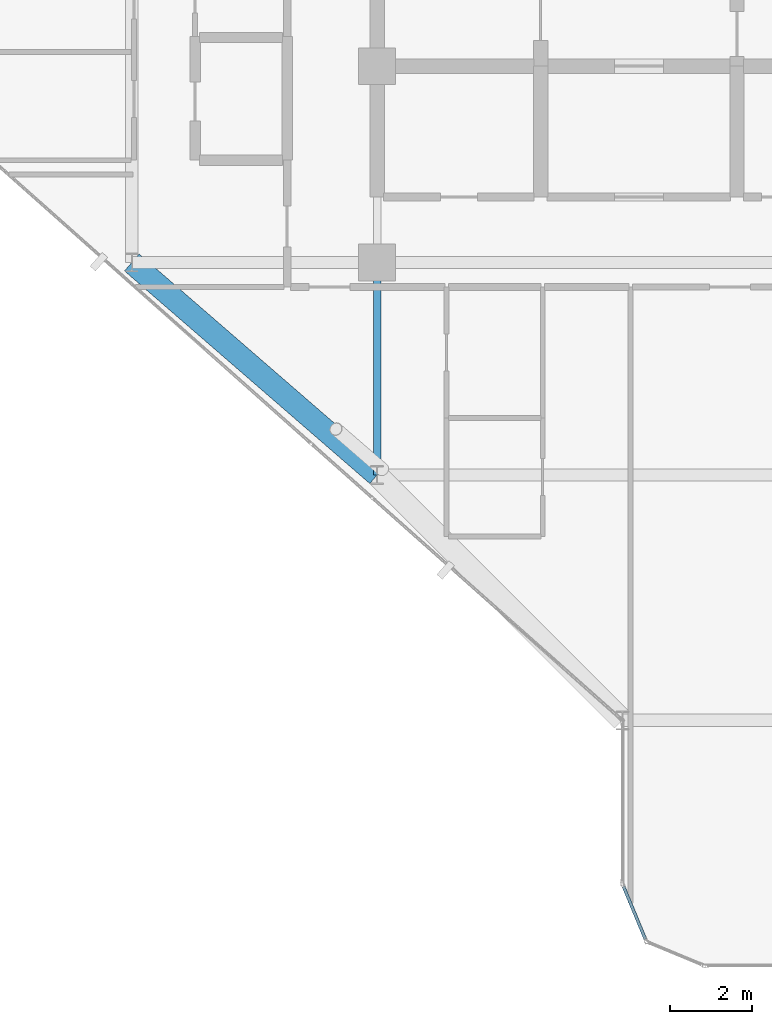
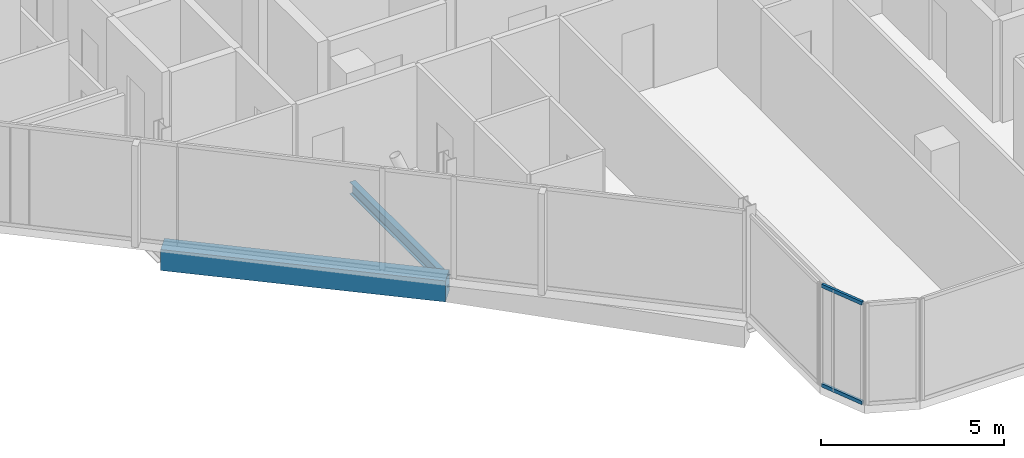
# One storey, part 5 of 29: 2 beams, 2 members, 1 element without a shape of its own.
"""IFC4 building model written with IfcOpenShell, lengths in metres."""

from ifc_helpers import new_model, si_unit, direction, frame, origin, origin_2d, place, context, subcontext, project, spatial, rectangle, hollow_rectangle, i_section, extrude, material, layer, layer_set, material_profile, profile_set, type_object, element, aggregate, save


model = new_model("IFC4")

# Units and contexts
model_context = context("Model", 3, precision=1e-05, world=origin(), true_north=direction((0.0, 1.0)))
body_context = subcontext(model_context, "Body", "Model", "MODEL_VIEW")
ifc_project = project(units=[si_unit("LENGTHUNIT", "METRE"), si_unit("AREAUNIT", "SQUARE_METRE"), si_unit("VOLUMEUNIT", "CUBIC_METRE"), si_unit("PLANEANGLEUNIT", "RADIAN"), si_unit("MASSUNIT", "GRAM", prefix="KILO")], contexts=[model_context])

# Site, building, storey
site_placement = place(None, origin())
site = spatial("IfcSite", under=ifc_project, at=site_placement, CompositionType="ELEMENT")
building_placement = place(site_placement, origin())
building = spatial("IfcBuilding", under=site, at=building_placement, Name="Keshet Zoharim Tower", CompositionType="ELEMENT")
storey_placement = place(building_placement, frame((0.0, 0.0, 188.39990234375)))
storey = spatial("IfcBuildingStorey", under=building, at=storey_placement, Name="L46", CompositionType="ELEMENT", Elevation=188.39990234375)

# Beams
ifc_material_1 = material(Name="Steel S355", Category="steel")
ifc_material_profile_1 = material_profile(ifc_material_1, i_section(OverallWidth=0.179931640625, OverallDepth=0.39990234375, WebThickness=0.008544921875, FlangeThickness=0.013427734375, FilletRadius=0.02099609375, at=origin_2d()), Name="IPE400")
ifc_profile_set_1 = profile_set([ifc_material_profile_1], Name="Steel S355")
beam_type_1 = type_object("IfcBeamType", Name="BM-PRI-IP400", PredefinedType="BEAM", material=ifc_profile_set_1)
beam_1_placement = place(storey_placement, frame((15.0, 12.699951171875, -0.510009765625), z_axis=(0.0, 1.0, 0.0), x_axis=(-1.0, 0.0, 0.0)))
element("IfcBeam", 1, at=beam_1_placement, inside=storey, type_object=beam_type_1, Name="L46 Primary Girder Y-002", PredefinedType="BEAM", context=body_context, shape_type="SweptSolid", body=[
    extrude(i_section(OverallWidth=0.179931640625, OverallDepth=0.39990234375, WebThickness=0.008544921875, FlangeThickness=0.013427734375, FilletRadius=0.02099609375, at=origin_2d()), origin(), (0.0, 0.0, 1.0), 5.199951171875),
])
ifc_material_2 = material(Name="Concrete C50/60", Category="concrete")
ifc_material_profile_2 = material_profile(ifc_material_2, rectangle(XDim=0.550048828125, YDim=0.699951171875, at=origin_2d()), Name="RC700x550")
ifc_profile_set_2 = profile_set([ifc_material_profile_2], Name="Concrete C50/60")
beam_type_2 = type_object("IfcBeamType", Name="BM-SPN-700", PredefinedType="SPANDREL", material=ifc_profile_set_2)
beam_2_placement = place(storey_placement, frame((9.0, 17.89990234375, -0.659912109375), z_axis=(0.755692126483, -0.654927026447, 0.0), x_axis=(0.654927026447, 0.755692126483, 0.0)))
element("IfcBeam", 2, at=beam_2_placement, inside=storey, type_object=beam_type_2, Name="L46 Perimeter Spandrel Beam 02", PredefinedType="SPANDREL", context=body_context, shape_type="SweptSolid", body=[
    extrude(rectangle(XDim=0.550048828125, YDim=0.699951171875, at=origin_2d()), origin(), (0.0, 0.0, 1.0), 7.939697265625),
])

# Curtain wall, members
ifc_material_3 = material(Name="Aluminium 6063-T6", Category="aluminium")
ifc_layer = layer(ifc_material_3, 0.139892578125)
ifc_layer_set = layer_set([ifc_layer], Name="Aluminium 6063-T6")
curtain_wall_type = type_object("IfcCurtainWallType", Name="CW-SYS-05", PredefinedType="NOTDEFINED", material=ifc_layer_set)
curtain_wall_placement = place(storey_placement, origin())
curtain_wall = element("IfcCurtainWall", 3, at=curtain_wall_placement, inside=storey, type_object=curtain_wall_type, Name="L46 Unitised Curtain Wall 08", PredefinedType="NOTDEFINED")
ifc_material_profile_3 = material_profile(ifc_material_3, hollow_rectangle(XDim=0.074951171875, YDim=0.1201171875, WallThickness=0.00390625, at=origin_2d()), Name="TRN-75x120")
ifc_profile_set_3 = profile_set([ifc_material_profile_3], Name="Aluminium 6063-T6")
member_type = type_object("IfcMemberType", Name="CWT-T12", PredefinedType="USERDEFINED", material=ifc_profile_set_3)
member_1_placement = place(storey_placement, frame((21.55908203125, 1.3505859375, 0.03515625), z_axis=(-0.382744609247, 0.923854189844, 0.0), x_axis=(-0.923854189844, -0.382744609247, 0.0)))
member_1 = element("IfcMember", 4, at=member_1_placement, type_object=member_type, Name="CW-05 transom 1.1", ObjectType="TRANSOM", PredefinedType="USERDEFINED", context=body_context, shape_type="SweptSolid", body=[
    extrude(hollow_rectangle(XDim=0.074951171875, YDim=0.1201171875, WallThickness=0.00390625, at=origin_2d()), origin(), (0.0, 0.0, 1.0), 1.390625),
])
member_2_placement = place(storey_placement, frame((21.55908203125, 1.3505859375, 3.35498046875), z_axis=(-0.382744609247, 0.923854189844, 0.0), x_axis=(-0.923854189844, -0.382744609247, 0.0)))
member_2 = element("IfcMember", 5, at=member_2_placement, type_object=member_type, Name="CW-05 transom 1.2", ObjectType="TRANSOM", PredefinedType="USERDEFINED", context=body_context, shape_type="SweptSolid", body=[
    extrude(hollow_rectangle(XDim=0.074951171875, YDim=0.1201171875, WallThickness=0.00390625, at=origin_2d()), origin(), (0.0, 0.0, 1.0), 1.390625),
])
aggregate(curtain_wall, [member_1, member_2])

save(model, "model.ifc")
